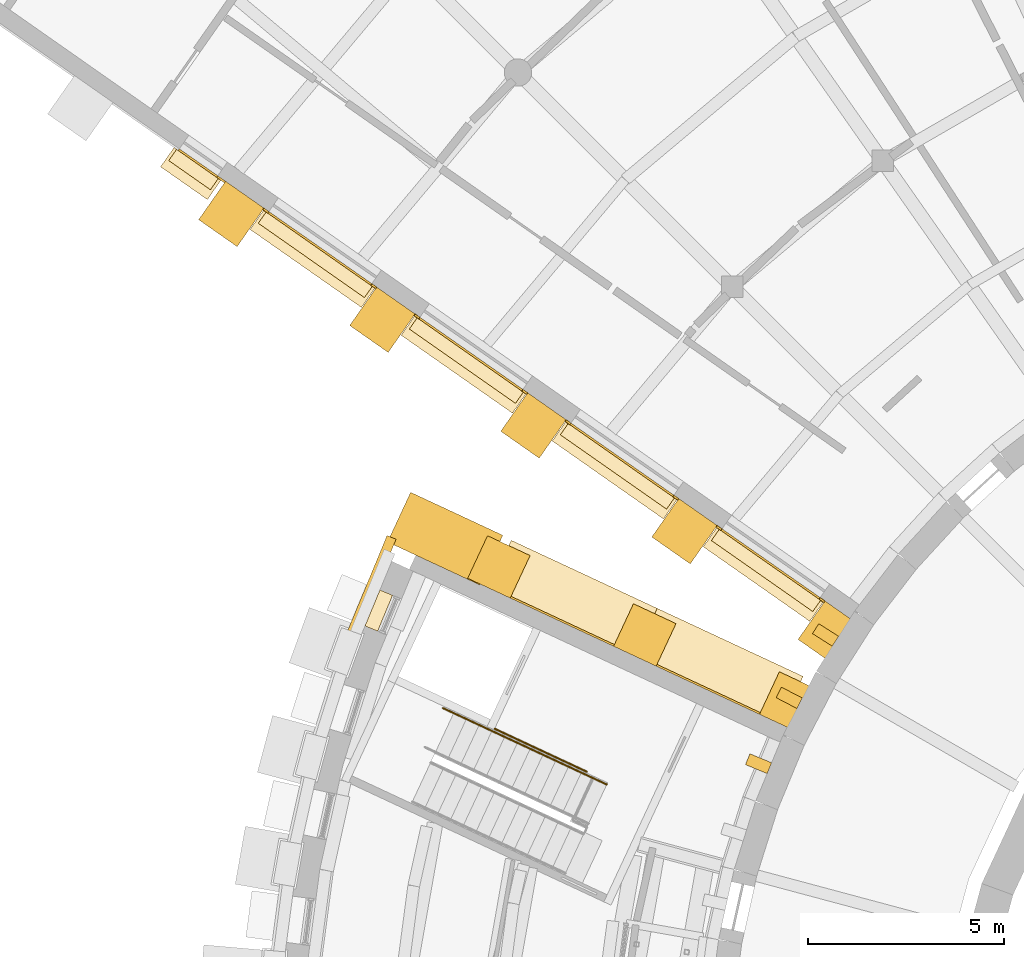
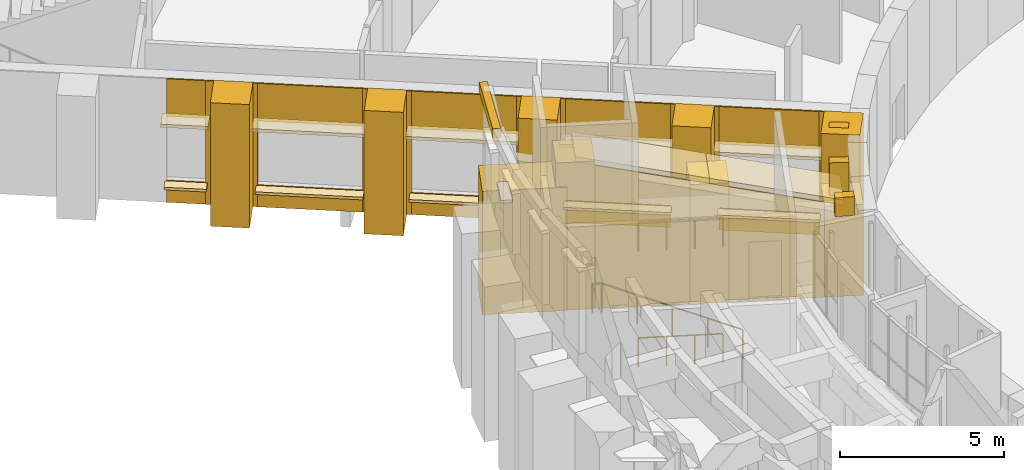
# One storey, part 56 of 66: 47 coverings, 3 railings.
"""IFC4 building model written with IfcOpenShell, lengths in metres."""

from ifc_helpers import new_model, si_unit, direction, frame, origin, origin_2d, place, context, subcontext, project, spatial, polyline, rectangle, circle, outline, extrude, material, layer, layer_set, type_object, element, save


model = new_model("IFC4")

# Units and contexts
model_context = context("Model", 3, precision=1e-05, world=origin(), true_north=direction((0.0, 1.0)))
body_context = subcontext(model_context, "Body", "Model", "MODEL_VIEW")
ifc_project = project(units=[si_unit("LENGTHUNIT", "METRE"), si_unit("AREAUNIT", "SQUARE_METRE"), si_unit("VOLUMEUNIT", "CUBIC_METRE"), si_unit("PLANEANGLEUNIT", "RADIAN"), si_unit("MASSUNIT", "GRAM", prefix="KILO")], contexts=[model_context])

# Site, building, storey
site_placement = place(None, origin())
site = spatial("IfcSite", under=ifc_project, at=site_placement, CompositionType="ELEMENT")
building_placement = place(site_placement, origin())
building = spatial("IfcBuilding", under=site, at=building_placement, Name="Volute Hill Aquarium", CompositionType="ELEMENT")
storey_placement = place(building_placement, frame((0.0, 0.0, 4.60009765625)))
storey = spatial("IfcBuildingStorey", under=building, at=storey_placement, Name="L02", CompositionType="ELEMENT", Elevation=4.60009765625)

# Coverings
ifc_material_1 = material(Name="Precast concrete C40/50", Category="concrete")
covering_type_1 = type_object("IfcCoveringType", Name="Crown coping beam precast concrete C40/50 250x350", PredefinedType="CLADDING", material=ifc_material_1)
covering_1_placement = place(storey_placement, frame((-30.13330078125, 10.961669921875, 8.67626953125), z_axis=(0.923870800548, -0.382704512509, 0.0), x_axis=(0.378948337656, 0.914803177473, -0.139761596558)))
element("IfcCovering", 1, at=covering_1_placement, inside=storey, type_object=covering_type_1, Name="Crown coping beam PCB S1 bea", PredefinedType="CLADDING", context=body_context, shape_type="SweptSolid", body=[
    extrude(outline(polyline([(0.0, 0.0), (3.189723015676534, 0.0), (3.1407928082876833, 0.3466615117324495), (-0.04889608590531621, 0.34641976730306845), (0.0, 0.0)])), origin(), (0.0, 0.0, -1.0), 0.25),
])
ifc_material_2 = material(Name="Precast pale concrete C40/50", Category="concrete")
covering_type_2 = type_object("IfcCoveringType", Name="Drum pier fin 300x600", PredefinedType="CLADDING", material=ifc_material_2)
for number, where, z_axis, x_axis, name in (
    (2, (-17.947509765625, 11.433837890625, -0.000244140625), (0.0, 0.0, 1.0), (-0.537299608347, -0.843391445813, 0.0), "Drum pier fin DF 30 L02"),
    (3, (-18.8759765625, 9.826171875, -0.000244140625), (0.0, 0.0, 1.0), (-0.461748613235, -0.887010833178, 0.0), "Drum pier fin DF 31 L02"),
):
    element("IfcCovering", number, at=place(storey_placement, frame(where, z_axis=z_axis, x_axis=x_axis)), inside=storey, type_object=covering_type_2, Name=name, PredefinedType="CLADDING", context=body_context, shape_type="SweptSolid", body=[
        extrude(rectangle(XDim=0.300048828125, YDim=0.60009765625, at=origin_2d()), origin(), (0.0, 0.0, 1.0), 4.60009765625),
    ])
covering_2_placement = place(storey_placement, frame((-19.660400390625, 8.1435546875, 3.89990234375), z_axis=(0.0, 0.0, 1.0), x_axis=(-0.382683432365, -0.923879532511, 0.0)))
element("IfcCovering", 4, at=covering_2_placement, inside=storey, type_object=covering_type_2, Name="Drum pier fin DF 32 L02", PredefinedType="CLADDING", context=body_context, shape_type="SweptSolid", body=[
    extrude(rectangle(XDim=0.300048828125, YDim=0.60009765625, at=origin_2d()), origin(), (0.0, 0.0, 1.0), 0.699951171875),
])
ifc_material_3 = material(Name="Precast concrete C40/50", Category="concrete")
covering_type_3 = type_object("IfcCoveringType", Name="End wall precast coping C40/50 1350x200", PredefinedType="CLADDING", material=ifc_material_3)
covering_3_placement = place(storey_placement, frame((-18.52099609375, 10.374267578125, 3.385498046875), z_axis=(0.422602872561, 0.90631496297, 0.0), x_axis=(-0.877774208251, 0.409294690061, 0.248978505129)))
element("IfcCovering", 5, at=covering_3_placement, inside=storey, type_object=covering_type_3, Name="End wall coping EWC S1A L02 1", PredefinedType="CLADDING", context=body_context, shape_type="SweptSolid", body=[
    extrude(outline(polyline([(0.0, 0.0), (4.248805846015337, 0.0), (4.298589389887601, 0.19365451167918635), (0.04978354387226434, 0.19365451167918635), (0.0, 0.0)])), origin(), (0.0, 0.0, -1.0), 1.35009765625),
])
covering_4_placement = place(storey_placement, frame((-22.250244140625, 12.11328125, 4.443359375), z_axis=(0.42265160425, 0.906292238423, 0.0), x_axis=(-0.877753563614, 0.409342523382, 0.248972649328)))
element("IfcCovering", 6, at=covering_4_placement, inside=storey, type_object=covering_type_3, Name="End wall coping EWC S1A L02 2", PredefinedType="CLADDING", context=body_context, shape_type="SweptSolid", body=[
    extrude(outline(polyline([(0.0, 0.0), (4.2489057773158745, 2.220446049250313e-16), (4.298688150313907, 0.193654812676759), (0.04978237299803335, 0.19365481267675866), (0.0, 0.0)])), origin(), (0.0, 0.0, -1.0), 1.35009765625),
])
ifc_material_4 = material(Name="Precast concrete C40/50", Category="concrete")
covering_type_4 = type_object("IfcCoveringType", Name="End wall precast fin C40/50 1200x1200", PredefinedType="CLADDING", material=ifc_material_4)
covering_5_placement = place(storey_placement, frame((-18.837890625, 9.694580078125, 0.0), z_axis=(0.0, 0.0, 1.0), x_axis=(-0.906307811488, 0.422618209304, 0.0)))
element("IfcCovering", 7, at=covering_5_placement, inside=storey, type_object=covering_type_4, Name="End wall fin EWF S1A L02 1", PredefinedType="CLADDING", context=body_context, shape_type="SweptSolid", body=[
    extrude(rectangle(XDim=1.199951171875, YDim=1.199951171875, at=origin_2d()), origin(), (0.0, 0.0, 1.0), 3.385498046875),
])
covering_6_placement = place(storey_placement, frame((-22.5673828125, 11.43359375, 0.0), z_axis=(0.0, 0.0, 1.0), x_axis=(-0.906307811488, 0.422618209304, 0.0)))
element("IfcCovering", 8, at=covering_6_placement, inside=storey, type_object=covering_type_4, Name="End wall fin EWF S1A L02 2", PredefinedType="CLADDING", context=body_context, shape_type="SweptSolid", body=[
    extrude(rectangle(XDim=1.199951171875, YDim=1.199951171875, at=origin_2d()), origin(), (0.0, 0.0, 1.0), 4.443359375),
])
covering_7_placement = place(storey_placement, frame((-26.296875, 13.172607421875, 0.0), z_axis=(0.0, 0.0, 1.0), x_axis=(-0.906307811488, 0.422618209304, 0.0)))
element("IfcCovering", 9, at=covering_7_placement, inside=storey, type_object=covering_type_4, Name="End wall fin EWF S1A L02 3", PredefinedType="CLADDING", context=body_context, shape_type="SweptSolid", body=[
    extrude(rectangle(XDim=1.199951171875, YDim=1.199951171875, at=origin_2d()), origin(), (0.0, 0.0, 1.0), 5.501220703125),
])
for number, where, z_axis, x_axis, name in (
    (10, (-17.814697265625, 11.466796875, -0.000244140625), (0.0, 0.0, 1.0), (-0.819152992671, 0.573575081919, 0.0), "End wall fin EWF S6B L02 1"),
    (11, (-21.552734375, 14.084228515625, -0.000244140625), (0.0, 0.0, 1.0), (-0.819152992671, 0.573575081919, 0.0), "End wall fin EWF S6B L02 2"),
    (12, (-25.41357421875, 16.78759765625, -0.000244140625), (0.0, 0.0, 1.0), (-0.819152992671, 0.573575081919, 0.0), "End wall fin EWF S6B L02 3"),
    (13, (-29.274658203125, 19.4912109375, -0.000244140625), (0.0, 0.0, 1.0), (-0.819152992671, 0.573575081919, 0.0), "End wall fin EWF S6B L02 4"),
    (14, (-33.135498046875, 22.194580078125, -0.000244140625), (0.0, 0.0, 1.0), (-0.819152992671, 0.573575081919, 0.0), "End wall fin EWF S6B L02 5"),
):
    element("IfcCovering", number, at=place(storey_placement, frame(where, z_axis=z_axis, x_axis=x_axis)), inside=storey, type_object=covering_type_4, Name=name, PredefinedType="CLADDING", context=body_context, shape_type="SweptSolid", body=[
        extrude(rectangle(XDim=1.199951171875, YDim=1.199951171875, at=origin_2d()), origin(), (0.0, 0.0, 1.0), 4.60009765625),
    ])
ifc_material_5 = material(Name="Precast concrete C40/50", Category="concrete")
ifc_layer_1 = layer(ifc_material_5, 0.050048828125)
ifc_layer_set_1 = layer_set([ifc_layer_1], Name="End wall precast infill panel C40/50 50")
covering_type_5 = type_object("IfcCoveringType", Name="End wall precast infill panel C40/50 50", PredefinedType="CLADDING", material=ifc_layer_set_1)
covering_8_placement = place(storey_placement, frame((-19.6142578125, 9.44970703125, 0.0), z_axis=(0.422624097709, 0.906305065657, 0.0), x_axis=(-0.906305065657, 0.422624097709, 0.0)))
element("IfcCovering", 15, at=covering_8_placement, inside=storey, type_object=covering_type_5, Name="End wall panel EWP S1A L02 1", PredefinedType="CLADDING", context=body_context, shape_type="SweptSolid", body=[
    extrude(outline(polyline([(0.0, 0.0), (2.914962966922533, 0.0), (2.914962966922533, 4.2890625), (0.0, 3.53955078125), (0.0, 0.0)])), origin(), (0.0, 0.0, -1.0), 0.050048828125),
])
covering_9_placement = place(storey_placement, frame((-23.343505859375, 11.188720703125, 0.0), z_axis=(0.422592019782, 0.906320023401, 0.0), x_axis=(-0.906320023401, 0.422592019782, 0.0)))
element("IfcCovering", 16, at=covering_9_placement, inside=storey, type_object=covering_type_5, Name="End wall panel EWP S1A L02 2", PredefinedType="CLADDING", context=body_context, shape_type="SweptSolid", body=[
    extrude(outline(polyline([(0.0, 0.0), (2.915184234633669, 0.0), (2.915184234633669, 5.346923828125), (0.0, 4.59765625), (0.0, 0.0)])), origin(), (0.0, 0.0, -1.0), 0.050048828125),
])
covering_10_placement = place(storey_placement, frame((-17.9619140625, 12.302490234375, 0.0), z_axis=(0.573353020881, 0.819308436089, 0.0), x_axis=(-0.819308436089, 0.573353020881, 0.0)))
element("IfcCovering", 17, at=covering_10_placement, inside=storey, type_object=covering_type_5, Name="End wall panel EWP S6B L02 1", PredefinedType="CLADDING", context=body_context, shape_type="SweptSolid", body=[
    extrude(outline(polyline([(0.0, 0.0), (0.1498858414801972, 0.0), (0.1498858414801972, 4.599853515624999), (0.0, 4.599853515624999), (0.0, 0.0)])), origin(), (0.0, 0.0, -1.0), 0.050048828125),
])
covering_11_placement = place(storey_placement, frame((-18.084716796875, 12.388427734375, 0.0), z_axis=(0.573590710881, 0.81914204897, 0.0), x_axis=(-0.81914204897, 0.573590710881, 0.0)))
element("IfcCovering", 18, at=covering_11_placement, inside=storey, type_object=covering_type_5, Name="End wall panel EWP S6B L02 1", PredefinedType="CLADDING", context=body_context, shape_type="SweptSolid", body=[
    extrude(outline(polyline([(0.0, 0.0), (3.0632993958803327, 0.0), (3.0632993958803327, 0.7998046875), (0.0, 0.7998046875), (0.0, 0.0)])), origin(), (0.0, 0.0, -1.0), 0.050048828125),
])
covering_12_placement = place(storey_placement, frame((-18.084716796875, 12.388427734375, 3.199951171875), z_axis=(0.573590710881, 0.81914204897, 0.0), x_axis=(-0.81914204897, 0.573590710881, 0.0)))
element("IfcCovering", 19, at=covering_12_placement, inside=storey, type_object=covering_type_5, Name="End wall panel EWP S6B L02 1", PredefinedType="CLADDING", context=body_context, shape_type="SweptSolid", body=[
    extrude(outline(polyline([(0.0, 0.0), (3.0632993958803327, 0.0), (3.0632993958803327, 1.39990234375), (0.0, 1.39990234375), (0.0, 0.0)])), origin(), (0.0, 0.0, -1.0), 0.050048828125),
])
covering_13_placement = place(storey_placement, frame((-20.593994140625, 14.1455078125, 0.0), z_axis=(0.57368046593, 0.819079192149, 0.0), x_axis=(-0.819079192149, 0.57368046593, 0.0)))
element("IfcCovering", 20, at=covering_13_placement, inside=storey, type_object=covering_type_5, Name="End wall panel EWP S6B L02 1", PredefinedType="CLADDING", context=body_context, shape_type="SweptSolid", body=[
    extrude(outline(polyline([(0.0, 0.0), (0.15022585871973665, 0.0), (0.15022585871973665, 4.599853515625), (0.0, 4.599853515625), (0.0, 0.0)])), origin(), (0.0, 0.0, -1.0), 0.050048828125),
])
covering_14_placement = place(storey_placement, frame((-21.699951171875, 14.919921875, 0.0), z_axis=(0.573353020881, 0.819308436089, 0.0), x_axis=(-0.819308436089, 0.573353020881, 0.0)))
element("IfcCovering", 21, at=covering_14_placement, inside=storey, type_object=covering_type_5, Name="End wall panel EWP S6B L02 2", PredefinedType="CLADDING", context=body_context, shape_type="SweptSolid", body=[
    extrude(outline(polyline([(0.0, 0.0), (0.1498858414801972, 0.0), (0.1498858414801972, 4.599853515624999), (0.0, 4.599853515624999), (0.0, 0.0)])), origin(), (0.0, 0.0, -1.0), 0.050048828125),
])
covering_15_placement = place(storey_placement, frame((-21.82275390625, 15.005859375, 0.0), z_axis=(0.573594906903, 0.819139110759, 0.0), x_axis=(-0.819139110759, 0.573594906903, 0.0)))
element("IfcCovering", 22, at=covering_15_placement, inside=storey, type_object=covering_type_5, Name="End wall panel EWP S6B L02 2", PredefinedType="CLADDING", context=body_context, shape_type="SweptSolid", body=[
    extrude(outline(polyline([(0.0, 0.0), (3.213525253740353, 0.0), (3.213525253740353, 0.7998046875), (0.0, 0.7998046875), (0.0, 0.0)])), origin(), (0.0, 0.0, -1.0), 0.050048828125),
])
covering_16_placement = place(storey_placement, frame((-21.82275390625, 15.005859375, 3.199951171875), z_axis=(0.573594906903, 0.819139110759, 0.0), x_axis=(-0.819139110759, 0.573594906903, 0.0)))
element("IfcCovering", 23, at=covering_16_placement, inside=storey, type_object=covering_type_5, Name="End wall panel EWP S6B L02 2", PredefinedType="CLADDING", context=body_context, shape_type="SweptSolid", body=[
    extrude(outline(polyline([(0.0, 0.0), (3.213525253740353, 0.0), (3.213525253740353, 1.39990234375), (0.0, 1.39990234375), (0.0, 0.0)])), origin(), (0.0, 0.0, -1.0), 0.050048828125),
])
covering_17_placement = place(storey_placement, frame((-24.455078125, 16.84912109375, 0.0), z_axis=(0.573353020881, 0.819308436089, 0.0), x_axis=(-0.819308436089, 0.573353020881, 0.0)))
element("IfcCovering", 24, at=covering_17_placement, inside=storey, type_object=covering_type_5, Name="End wall panel EWP S6B L02 2", PredefinedType="CLADDING", context=body_context, shape_type="SweptSolid", body=[
    extrude(outline(polyline([(0.0, 0.0), (0.1498858414801972, 0.0), (0.1498858414801972, 4.599853515624999), (0.0, 4.599853515624999), (0.0, 0.0)])), origin(), (0.0, 0.0, -1.0), 0.050048828125),
])
covering_18_placement = place(storey_placement, frame((-25.560791015625, 17.623291015625, 0.0), z_axis=(0.57368046593, 0.819079192149, 0.0), x_axis=(-0.819079192149, 0.57368046593, 0.0)))
element("IfcCovering", 25, at=covering_18_placement, inside=storey, type_object=covering_type_5, Name="End wall panel EWP S6B L02 3", PredefinedType="CLADDING", context=body_context, shape_type="SweptSolid", body=[
    extrude(outline(polyline([(0.0, 0.0), (0.15022585871973665, 0.0), (0.15022585871973665, 4.599853515625), (0.0, 4.599853515625), (0.0, 0.0)])), origin(), (0.0, 0.0, -1.0), 0.050048828125),
])
covering_19_placement = place(storey_placement, frame((-25.683837890625, 17.70947265625, 0.0), z_axis=(0.573579624401, 0.819149811983, 0.0), x_axis=(-0.819149811983, 0.573579624401, 0.0)))
element("IfcCovering", 26, at=covering_19_placement, inside=storey, type_object=covering_type_5, Name="End wall panel EWP S6B L02 3", PredefinedType="CLADDING", context=body_context, shape_type="SweptSolid", body=[
    extrude(outline(polyline([(0.0, 0.0), (3.2131852313460314, 0.0), (3.2131852313460314, 0.7998046875), (0.0, 0.7998046875), (0.0, 0.0)])), origin(), (0.0, 0.0, -1.0), 0.050048828125),
])
covering_20_placement = place(storey_placement, frame((-25.683837890625, 17.70947265625, 3.199951171875), z_axis=(0.573579624401, 0.819149811983, 0.0), x_axis=(-0.819149811983, 0.573579624401, 0.0)))
element("IfcCovering", 27, at=covering_20_placement, inside=storey, type_object=covering_type_5, Name="End wall panel EWP S6B L02 3", PredefinedType="CLADDING", context=body_context, shape_type="SweptSolid", body=[
    extrude(outline(polyline([(0.0, 0.0), (3.213185231346031, 0.0), (3.213185231346031, 1.39990234375), (0.0, 1.39990234375), (0.0, 0.0)])), origin(), (0.0, 0.0, -1.0), 0.050048828125),
])
covering_21_placement = place(storey_placement, frame((-28.31591796875, 19.552490234375, 0.0), z_axis=(0.572588637393, 0.819842821722, 0.0), x_axis=(-0.819842821722, 0.572588637393, 0.0)))
element("IfcCovering", 28, at=covering_21_placement, inside=storey, type_object=covering_type_5, Name="End wall panel EWP S6B L02 3", PredefinedType="CLADDING", context=body_context, shape_type="SweptSolid", body=[
    extrude(outline(polyline([(0.0, 0.0), (0.15008593322998537, 0.0), (0.15008593322998537, 4.599853515625), (0.0, 4.599853515625), (0.0, 0.0)])), origin(), (0.0, 0.0, -1.0), 0.050048828125),
])
covering_22_placement = place(storey_placement, frame((-29.421875, 20.326904296875, 0.0), z_axis=(0.573353020881, 0.819308436089, 0.0), x_axis=(-0.819308436089, 0.573353020881, 0.0)))
element("IfcCovering", 29, at=covering_22_placement, inside=storey, type_object=covering_type_5, Name="End wall panel EWP S6B L02 4", PredefinedType="CLADDING", context=body_context, shape_type="SweptSolid", body=[
    extrude(outline(polyline([(0.0, 0.0), (0.1498858414801972, 0.0), (0.1498858414801972, 4.599853515624999), (0.0, 4.599853515624999), (0.0, 0.0)])), origin(), (0.0, 0.0, -1.0), 0.050048828125),
])
covering_23_placement = place(storey_placement, frame((-29.544677734375, 20.412841796875, 0.0), z_axis=(0.573543926643, 0.81917480687, 0.0), x_axis=(-0.81917480687, 0.573543926643, 0.0)))
element("IfcCovering", 30, at=covering_23_placement, inside=storey, type_object=covering_type_5, Name="End wall panel EWP S6B L02 4", PredefinedType="CLADDING", context=body_context, shape_type="SweptSolid", body=[
    extrude(outline(polyline([(0.0, 0.0), (3.213385222144326, 0.0), (3.213385222144326, 0.7998046875), (0.0, 0.7998046875), (0.0, 0.0)])), origin(), (0.0, 0.0, -1.0), 0.050048828125),
])
covering_24_placement = place(storey_placement, frame((-29.544677734375, 20.412841796875, 3.199951171875), z_axis=(0.573543926643, 0.81917480687, 0.0), x_axis=(-0.81917480687, 0.573543926643, 0.0)))
element("IfcCovering", 31, at=covering_24_placement, inside=storey, type_object=covering_type_5, Name="End wall panel EWP S6B L02 4", PredefinedType="CLADDING", context=body_context, shape_type="SweptSolid", body=[
    extrude(outline(polyline([(0.0, 0.0), (3.213385222144326, 0.0), (3.213385222144326, 1.39990234375), (0.0, 1.39990234375), (0.0, 0.0)])), origin(), (0.0, 0.0, -1.0), 0.050048828125),
])
covering_25_placement = place(storey_placement, frame((-32.177001953125, 22.255859375, 0.0), z_axis=(0.574444878118, 0.818543268254, 0.0), x_axis=(-0.818543268254, 0.574444878118, 0.0)))
element("IfcCovering", 32, at=covering_25_placement, inside=storey, type_object=covering_type_5, Name="End wall panel EWP S6B L02 4", PredefinedType="CLADDING", context=body_context, shape_type="SweptSolid", body=[
    extrude(outline(polyline([(0.0, 0.0), (0.150025953590682, 0.0), (0.150025953590682, 4.599853515625), (0.0, 4.599853515625), (0.0, 0.0)])), origin(), (0.0, 0.0, -1.0), 0.050048828125),
])
covering_26_placement = place(storey_placement, frame((-33.28271484375, 23.0302734375, 0.0), z_axis=(0.573327561262, 0.819326252171, 0.0), x_axis=(-0.819326252171, 0.573327561262, 0.0)))
element("IfcCovering", 33, at=covering_26_placement, inside=storey, type_object=covering_type_5, Name="End wall panel EWP S6B L02 5", PredefinedType="CLADDING", context=body_context, shape_type="SweptSolid", body=[
    extrude(outline(polyline([(0.0, 0.0), (0.24314947735657513, 0.0), (0.24314947735657513, 4.599853515625), (0.0, 4.599853515625), (0.0, 0.0)])), origin(), (0.0, 0.0, -1.0), 0.050048828125),
])
covering_27_placement = place(storey_placement, frame((-33.48193359375, 23.169677734375, 0.0), z_axis=(0.573612502218, 0.819126789514, 0.0), x_axis=(-0.819126789514, 0.573612502218, 0.0)))
element("IfcCovering", 34, at=covering_27_placement, inside=storey, type_object=covering_type_5, Name="End wall panel EWP S6B L02 5", PredefinedType="CLADDING", context=body_context, shape_type="SweptSolid", body=[
    extrude(outline(polyline([(0.0, 0.0), (1.2002467865300004, 0.0), (1.2002467865300004, 0.7998046875), (0.0, 0.7998046875), (0.0, 0.0)])), origin(), (0.0, 0.0, -1.0), 0.050048828125),
])
covering_28_placement = place(storey_placement, frame((-33.48193359375, 23.169677734375, 3.199951171875), z_axis=(0.573612502218, 0.819126789514, 0.0), x_axis=(-0.819126789514, 0.573612502218, 0.0)))
element("IfcCovering", 35, at=covering_28_placement, inside=storey, type_object=covering_type_5, Name="End wall panel EWP S6B L02 5", PredefinedType="CLADDING", context=body_context, shape_type="SweptSolid", body=[
    extrude(outline(polyline([(0.0, 0.0), (1.2002467865300004, 0.0), (1.2002467865300004, 1.39990234375), (0.0, 1.39990234375), (0.0, 0.0)])), origin(), (0.0, 0.0, -1.0), 0.050048828125),
])
ifc_material_6 = material(Name="Precast concrete C40/50", Category="concrete")
ifc_layer_2 = layer(ifc_material_6, 0.1201171875)
ifc_layer_set_2 = layer_set([ifc_layer_2], Name="End wall window head blade precast C40/50 600x120")
covering_type_6 = type_object("IfcCoveringType", Name="End wall window head blade precast C40/50 600x120", PredefinedType="CLADDING", material=ifc_layer_set_2)
covering_29_placement = place(storey_placement, frame((-19.540283203125, 12.980224609375, 3.199951171875), z_axis=(0.0, 0.0, 1.0), x_axis=(-0.819152992671, 0.573575081919, 0.0)))
element("IfcCovering", 36, at=covering_29_placement, inside=storey, type_object=covering_type_6, Name="End wall window head blade EWB S6B L02 1.1", PredefinedType="CLADDING", context=body_context, shape_type="SweptSolid", body=[
    extrude(rectangle(XDim=3.3232421875, YDim=0.60009765625, at=origin_2d()), origin(), (0.0, 0.0, 1.0), 0.1201171875),
])
for number, where, z_axis, x_axis, name in (
    (37, (-23.33984375, 15.640869140625, 3.199951171875), (0.0, 0.0, 1.0), (-0.819152992671, 0.573575081919, 0.0), "End wall window head blade EWB S6B L02 2.1"),
    (38, (-27.20068359375, 18.34423828125, 3.199951171875), (0.0, 0.0, 1.0), (-0.819152992671, 0.573575081919, 0.0), "End wall window head blade EWB S6B L02 3.1"),
    (39, (-31.0615234375, 21.047607421875, 3.199951171875), (0.0, 0.0, 1.0), (-0.819152992671, 0.573575081919, 0.0), "End wall window head blade EWB S6B L02 4.1"),
):
    element("IfcCovering", number, at=place(storey_placement, frame(where, z_axis=z_axis, x_axis=x_axis)), inside=storey, type_object=covering_type_6, Name=name, PredefinedType="CLADDING", context=body_context, shape_type="SweptSolid", body=[
        extrude(rectangle(XDim=3.473388671875, YDim=0.60009765625, at=origin_2d()), origin(), (0.0, 0.0, 1.0), 0.1201171875),
    ])
covering_30_placement = place(storey_placement, frame((-34.17431640625, 23.22705078125, 3.199951171875), z_axis=(0.0, 0.0, 1.0), x_axis=(-0.819152992671, 0.573575081919, 0.0)))
element("IfcCovering", 40, at=covering_30_placement, inside=storey, type_object=covering_type_6, Name="End wall window head blade EWB S6B L02 5.1", PredefinedType="CLADDING", context=body_context, shape_type="SweptSolid", body=[
    extrude(rectangle(XDim=1.4599609375, YDim=0.60009765625, at=origin_2d()), origin(), (0.0, 0.0, 1.0), 0.1201171875),
])
ifc_material_7 = material(Name="Precast concrete C40/50", Category="concrete")
ifc_layer_3 = layer(ifc_material_7, 0.10009765625)
ifc_layer_set_3 = layer_set([ifc_layer_3], Name="End wall window sill precast C40/50 350x100")
covering_type_7 = type_object("IfcCoveringType", Name="End wall window sill precast C40/50 350x100", PredefinedType="CLADDING", material=ifc_layer_set_3)
covering_31_placement = place(storey_placement, frame((-19.468505859375, 13.082763671875, 0.699951171875), z_axis=(0.0, 0.0, 1.0), x_axis=(-0.819152992671, 0.573575081919, 0.0)))
element("IfcCovering", 41, at=covering_31_placement, inside=storey, type_object=covering_type_7, Name="End wall window sill EWS S6B L02 1.1", PredefinedType="CLADDING", context=body_context, shape_type="SweptSolid", body=[
    extrude(rectangle(XDim=3.163330078125, YDim=0.35009765625, at=origin_2d()), origin(), (0.0, 0.0, 1.0), 0.10009765625),
])
for number, where, z_axis, x_axis, name in (
    (42, (-23.26806640625, 15.7431640625, 0.699951171875), (0.0, 0.0, 1.0), (-0.819152992671, 0.573575081919, 0.0), "End wall window sill EWS S6B L02 2.1"),
    (43, (-27.12890625, 18.446533203125, 0.699951171875), (0.0, 0.0, 1.0), (-0.819152992671, 0.573575081919, 0.0), "End wall window sill EWS S6B L02 3.1"),
    (44, (-30.989990234375, 21.150146484375, 0.699951171875), (0.0, 0.0, 1.0), (-0.819152992671, 0.573575081919, 0.0), "End wall window sill EWS S6B L02 4.1"),
):
    element("IfcCovering", number, at=place(storey_placement, frame(where, z_axis=z_axis, x_axis=x_axis)), inside=storey, type_object=covering_type_7, Name=name, PredefinedType="CLADDING", context=body_context, shape_type="SweptSolid", body=[
        extrude(rectangle(XDim=3.313232421875, YDim=0.35009765625, at=origin_2d()), origin(), (0.0, 0.0, 1.0), 0.10009765625),
    ])
covering_32_placement = place(storey_placement, frame((-34.1025390625, 23.32958984375, 0.699951171875), z_axis=(0.0, 0.0, 1.0), x_axis=(-0.819152992671, 0.573575081919, 0.0)))
element("IfcCovering", 45, at=covering_32_placement, inside=storey, type_object=covering_type_7, Name="End wall window sill EWS S6B L02 5.1", PredefinedType="CLADDING", context=body_context, shape_type="SweptSolid", body=[
    extrude(rectangle(XDim=1.300048828125, YDim=0.35009765625, at=origin_2d()), origin(), (0.0, 0.0, 1.0), 0.10009765625),
])

# Railings
ifc_material_8 = material(Name="Stainless steel 1.4301", Category="steel")
railing_type = type_object("IfcRailingType", Name="Guard 1100 stainless", PredefinedType="GUARDRAIL", material=ifc_material_8)
railing_1_placement = place(storey_placement, frame((-26.4052734375, 9.035888671875, 0.0)))
element("IfcRailing", 46, at=railing_1_placement, inside=storey, type_object=railing_type, Name="gd/S1-A/L02/edge", PredefinedType="GUARDRAIL", context=body_context, shape_type="SweptSolid", body=[
    extrude(circle(Radius=0.02392578125, at=origin_2d()), frame((0.0, 0.0, 1.076171875), z_axis=(0.906300648467, -0.422633570115, 0.0), x_axis=(0.422633570115, 0.906300648467, 0.0)), (0.0, 0.0, 1.0), 2.60009765625),
    extrude(circle(Radius=0.02099609375, at=origin_2d()), origin(), (0.0, 0.0, 1.0), 1.052001953125),
    extrude(circle(Radius=0.02099609375, at=origin_2d()), frame((0.785400390625, -0.3662109375, 0.0)), (0.0, 0.0, 1.0), 1.052001953125),
    extrude(circle(Radius=0.02099609375, at=origin_2d()), frame((1.571044921875, -0.732666015625, 0.0)), (0.0, 0.0, 1.0), 1.052001953125),
    extrude(circle(Radius=0.02099609375, at=origin_2d()), frame((2.3564453125, -1.098876953125, 0.0)), (0.0, 0.0, 1.0), 1.052001953125),
])
railing_2_placement = place(storey_placement, frame((-23.538818359375, 7.611083984375, 0.166015625)))
element("IfcRailing", 47, at=railing_2_placement, inside=storey, type_object=railing_type, Name="gd/S1-A/L02/1", PredefinedType="GUARDRAIL", context=body_context, shape_type="SweptSolid", body=[
    extrude(circle(Radius=0.02392578125, at=origin_2d()), frame((0.0, 0.0, 1.076171875), z_axis=(-0.822891101638, 0.383711396025, 0.419065387983), x_axis=(-0.42261009579, -0.906311594837, 0.0)), (0.0, 0.0, 1.0), 4.758056640625),
    extrude(circle(Radius=0.02392578125, at=origin_2d()), frame((-3.915283203125, 1.82568359375, 3.06982421875), z_axis=(-0.906453195831, 0.422306291415, 0.0), x_axis=(-0.422306291415, -0.906453195831, 0.0)), (0.0, 0.0, 1.0), 0.300048828125),
    extrude(circle(Radius=0.02099609375, at=origin_2d()), origin(), (0.0, 0.0, 1.0), 1.052001953125),
    extrude(circle(Radius=0.02099609375, at=origin_2d()), frame((-0.978759765625, 0.45654296875, 0.49853515625)), (0.0, 0.0, 1.0), 1.052001953125),
    extrude(circle(Radius=0.02099609375, at=origin_2d()), frame((-1.95751953125, 0.912841796875, 0.9970703125)), (0.0, 0.0, 1.0), 1.052001953125),
    extrude(circle(Radius=0.02099609375, at=origin_2d()), frame((-2.9365234375, 1.369140625, 1.495361328125)), (0.0, 0.0, 1.0), 1.052001953125),
    extrude(circle(Radius=0.02099609375, at=origin_2d()), frame((-3.915283203125, 1.82568359375, 1.993896484375)), (0.0, 0.0, 1.0), 1.052001953125),
    extrude(circle(Radius=0.02099609375, at=origin_2d()), frame((-4.187255859375, 1.952392578125, 1.993896484375)), (0.0, 0.0, 1.0), 1.052001953125),
])
railing_3_placement = place(storey_placement, frame((-26.4052734375, 9.035888671875, 4.31982421875)))
element("IfcRailing", 48, at=railing_3_placement, inside=storey, type_object=railing_type, Name="gd/S1-A/L02/roof", PredefinedType="GUARDRAIL", context=body_context, shape_type="SweptSolid", body=[
    extrude(circle(Radius=0.02392578125, at=origin_2d()), frame((0.0, 0.0, 1.076171875), z_axis=(0.906300648467, -0.422633570115, 0.0), x_axis=(0.422633570115, 0.906300648467, 0.0)), (0.0, 0.0, 1.0), 2.60009765625),
    extrude(circle(Radius=0.02099609375, at=origin_2d()), origin(), (0.0, 0.0, 1.0), 1.052001953125),
    extrude(circle(Radius=0.02099609375, at=origin_2d()), frame((0.785400390625, -0.3662109375, 0.0)), (0.0, 0.0, 1.0), 1.052001953125),
    extrude(circle(Radius=0.02099609375, at=origin_2d()), frame((1.571044921875, -0.732666015625, 0.0)), (0.0, 0.0, 1.0), 1.052001953125),
    extrude(circle(Radius=0.02099609375, at=origin_2d()), frame((2.3564453125, -1.098876953125, 0.0)), (0.0, 0.0, 1.0), 1.052001953125),
])

# Coverings
ifc_material_9 = material(Name="Precast concrete C40/50", Category="concrete")
ifc_layer_4 = layer(ifc_material_9, 0.10009765625)
ifc_layer_set_4 = layer_set([ifc_layer_4], Name="Niche cap precast concrete C40/50 100")
covering_type_8 = type_object("IfcCoveringType", Name="Niche cap precast concrete C40/50 100", PredefinedType="CLADDING", material=ifc_layer_set_4)
covering_33_placement = place(storey_placement, frame((-29.36669921875, 12.0556640625, 5.659912109375), z_axis=(0.0, 0.0, 1.0), x_axis=(-0.382661654863, -0.923888552747, 0.0)))
element("IfcCovering", 49, at=covering_33_placement, inside=storey, type_object=covering_type_8, Name="Niche cap NC S1 L02 1", PredefinedType="CLADDING", context=body_context, shape_type="SweptSolid", body=[
    extrude(rectangle(XDim=0.99267578125, YDim=0.35009765625, at=origin_2d()), origin(), (0.0, 0.0, 1.0), 0.10009765625),
])
ifc_material_10 = material(Name="Precast concrete C40/50", Category="concrete")
covering_type_9 = type_object("IfcCoveringType", Name="Step pylon precast concrete C40/50 1400x2600", PredefinedType="CLADDING", material=ifc_material_10)
covering_34_placement = place(storey_placement, frame((-27.669921875, 13.895751953125, -0.000244140625), z_axis=(0.0, 0.0, 1.0), x_axis=(-0.906307787037, 0.422618261741, 0.0)))
element("IfcCovering", 50, at=covering_34_placement, inside=storey, type_object=covering_type_9, Name="Step pylon SPY S1A L02", PredefinedType="CLADDING", context=body_context, shape_type="SweptSolid", body=[
    extrude(rectangle(XDim=2.60009765625, YDim=1.39990234375, at=origin_2d()), origin(), (0.0, 0.0, 1.0), 4.60009765625),
])

save(model, "model.ifc")
